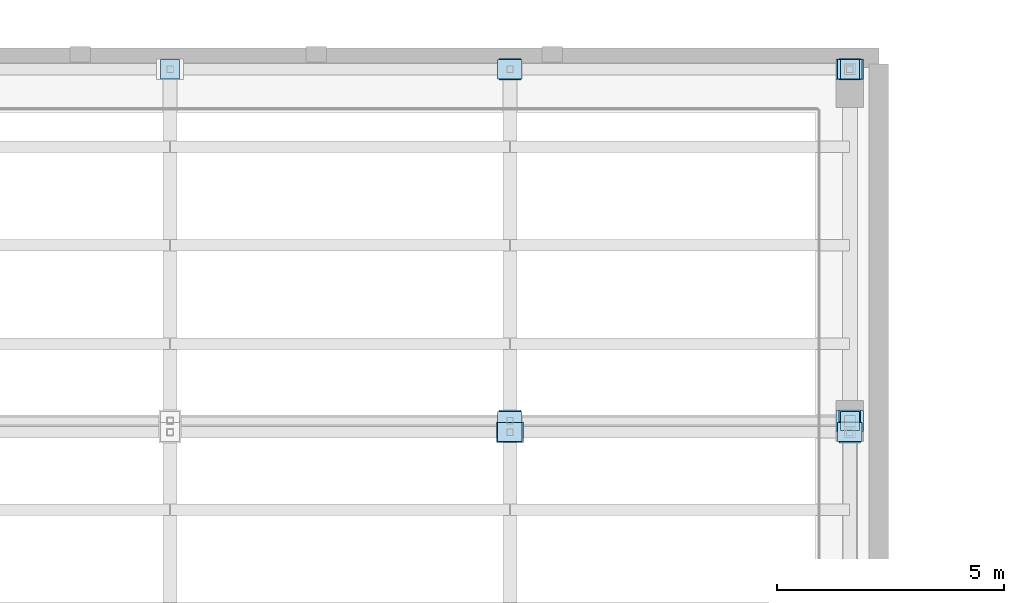
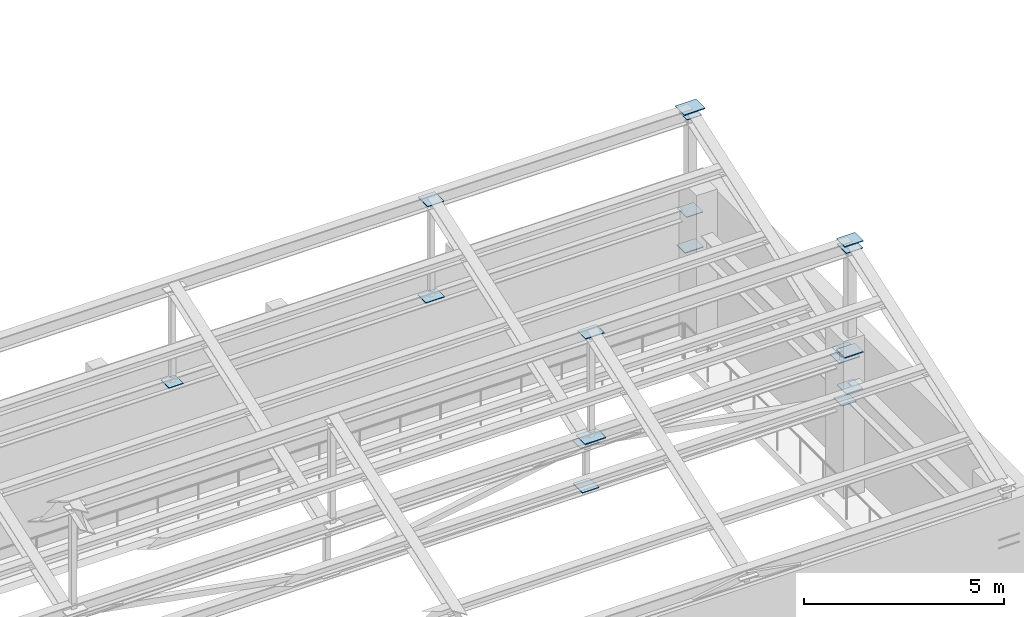
# One storey, part 50 of 76: 18 plates.
"""IFC4 building model written with IfcOpenShell, lengths in metres."""

from ifc_helpers import new_model, si_unit, direction, frame, origin, origin_2d, place, context, subcontext, project, spatial, rectangle, extrude, material, layer, layer_set, type_object, element, save


model = new_model("IFC4")

# Units and contexts
model_context = context("Model", 3, precision=1e-05, world=origin(), true_north=direction((0.0, 1.0)))
body_context = subcontext(model_context, "Body", "Model", "MODEL_VIEW")
ifc_project = project(units=[si_unit("LENGTHUNIT", "METRE"), si_unit("AREAUNIT", "SQUARE_METRE"), si_unit("VOLUMEUNIT", "CUBIC_METRE"), si_unit("PLANEANGLEUNIT", "RADIAN"), si_unit("MASSUNIT", "GRAM", prefix="KILO")], contexts=[model_context])

# Site, building, storey
site_placement = place(None, origin())
site = spatial("IfcSite", under=ifc_project, at=site_placement, CompositionType="ELEMENT")
building_placement = place(site_placement, origin())
building = spatial("IfcBuilding", under=site, at=building_placement, Name="Cinchona Park Media Centre", CompositionType="ELEMENT")
storey_placement = place(building_placement, frame((0.0, 0.0, 15.60009765625)))
storey = spatial("IfcBuildingStorey", under=building, at=storey_placement, Name="L03", CompositionType="ELEMENT", Elevation=15.60009765625)

# Plates
ifc_material_1 = material(Name="Steel S355", Category="steel")
ifc_layer_1 = layer(ifc_material_1, 0.02001953125)
ifc_layer_set_1 = layer_set([ifc_layer_1], Name="Steel S355")
plate_type_1 = type_object("IfcPlateType", Name="PLATE-GP01", PredefinedType="USERDEFINED", material=ifc_layer_set_1)
for number, where, z_axis, x_axis, name in (
    (1, (45.360107421875, 110.0, 2.639892578125), (0.0, 0.0, 1.0), (1.0, 0.0, 0.0), "Truss Node Gusset Plate TN1"),
    (2, (30.3798828125, 117.75, 3.739990234375), (0.0, 0.0, 1.0), (1.0, 0.0, 0.0), "Truss Node Gusset Plate TN3"),
    (3, (45.360107421875, 117.75, 6.68994140625), (0.0, 0.0, 1.0), (1.0, 0.0, 0.0), "Truss Node Gusset Plate TN3"),
):
    element("IfcPlate", number, at=place(storey_placement, frame(where, z_axis=z_axis, x_axis=x_axis)), inside=storey, type_object=plate_type_1, Name=name, ObjectType="GUSSET PLATE", PredefinedType="USERDEFINED", context=body_context, shape_type="SweptSolid", body=[
        extrude(rectangle(XDim=0.419921875, YDim=0.419921875, at=origin_2d()), origin(), (0.0, 0.0, 1.0), 0.02001953125),
    ])
ifc_material_2 = material(Name="Steel S355", Category="steel")
ifc_layer_2 = layer(ifc_material_2, 0.02197265625)
ifc_layer_set_2 = layer_set([ifc_layer_2], Name="Steel S355")
plate_type_2 = type_object("IfcPlateType", Name="PLATE-GP02", PredefinedType="USERDEFINED", material=ifc_layer_set_2)
for number, where, z_axis, x_axis, name in (
    (4, (45.360107421875, 109.75, 3.18896484375), (0.0, 0.0, 1.0), (1.0, 0.0, 0.0), "Truss Node Gusset Plate TN1"),
    (5, (45.360107421875, 109.75, 7.489013671875), (0.0, 0.0, 1.0), (1.0, 0.0, 0.0), "Truss Node Gusset Plate TN3"),
    (6, (45.360107421875, 110.0, 4.178955078125), (0.0, 0.0, 1.0), (1.0, 0.0, 0.0), "Truss Node Gusset Plate TN1"),
    (7, (37.8701171875, 110.0, 2.638916015625), (0.0, 0.0, 1.0), (1.0, 0.0, 0.0), "Truss Node Gusset Plate TN3"),
    (8, (37.8701171875, 117.75, 6.68896484375), (0.0, 0.0, 1.0), (1.0, 0.0, 0.0), "Truss Node Gusset Plate TN3"),
    (9, (45.360107421875, 117.75, 3.739013671875), (0.0, 0.0, 1.0), (1.0, 0.0, 0.0), "Truss Node Gusset Plate TN3"),
):
    element("IfcPlate", number, at=place(storey_placement, frame(where, z_axis=z_axis, x_axis=x_axis)), inside=storey, type_object=plate_type_2, Name=name, ObjectType="GUSSET PLATE", PredefinedType="USERDEFINED", context=body_context, shape_type="SweptSolid", body=[
        extrude(rectangle(XDim=0.47998046875, YDim=0.47998046875, at=origin_2d()), origin(), (0.0, 0.0, 1.0), 0.02197265625),
    ])
ifc_material_3 = material(Name="Steel S355", Category="steel")
ifc_layer_3 = layer(ifc_material_3, 0.02392578125)
ifc_layer_set_3 = layer_set([ifc_layer_3], Name="Steel S355")
plate_type_3 = type_object("IfcPlateType", Name="PLATE-GP03", PredefinedType="USERDEFINED", material=ifc_layer_set_3)
for number, where, z_axis, x_axis, name in (
    (10, (45.360107421875, 109.75, 7.677978515625), (0.0, 0.0, 1.0), (1.0, 0.0, 0.0), "Truss Node Gusset Plate TN1"),
    (11, (37.8701171875, 109.75, 7.488037109375), (0.0, 0.0, 1.0), (1.0, 0.0, 0.0), "Truss Node Gusset Plate TN3"),
    (12, (45.360107421875, 109.75, 4.287841796875), (0.0, 0.0, 1.0), (1.0, 0.0, 0.0), "Truss Node Gusset Plate TN3"),
    (13, (45.360107421875, 117.75, 2.637939453125), (0.0, 0.0, 1.0), (1.0, 0.0, 0.0), "Truss Node Gusset Plate TN1"),
    (14, (37.8701171875, 110.0, 3.988037109375), (0.0, 0.0, 1.0), (1.0, 0.0, 0.0), "Truss Node Gusset Plate TN3"),
    (15, (37.8701171875, 117.75, 3.738037109375), (0.0, 0.0, 1.0), (1.0, 0.0, 0.0), "Truss Node Gusset Plate TN3"),
):
    element("IfcPlate", number, at=place(storey_placement, frame(where, z_axis=z_axis, x_axis=x_axis)), inside=storey, type_object=plate_type_3, Name=name, ObjectType="GUSSET PLATE", PredefinedType="USERDEFINED", context=body_context, shape_type="SweptSolid", body=[
        extrude(rectangle(XDim=0.5400390625, YDim=0.419921875, at=origin_2d()), origin(), (0.0, 0.0, 1.0), 0.02392578125),
    ])
ifc_material_4 = material(Name="Steel S355", Category="steel")
ifc_layer_4 = layer(ifc_material_4, 0.02587890625)
ifc_layer_set_4 = layer_set([ifc_layer_4], Name="Steel S355")
plate_type_4 = type_object("IfcPlateType", Name="PLATE-GP04", PredefinedType="USERDEFINED", material=ifc_layer_set_4)
for number, where, z_axis, x_axis, name in (
    (16, (37.8701171875, 109.75, 4.286865234375), (0.0, 0.0, 1.0), (1.0, 0.0, 0.0), "Truss Node Gusset Plate TN3"),
    (17, (45.360107421875, 117.75, 6.876953125), (0.0, 0.0, 1.0), (1.0, 0.0, 0.0), "Truss Node Gusset Plate TN1"),
    (18, (45.360107421875, 110.0, 3.987060546875), (0.0, 0.0, 1.0), (1.0, 0.0, 0.0), "Truss Node Gusset Plate TN3"),
):
    element("IfcPlate", number, at=place(storey_placement, frame(where, z_axis=z_axis, x_axis=x_axis)), inside=storey, type_object=plate_type_4, Name=name, ObjectType="GUSSET PLATE", PredefinedType="USERDEFINED", context=body_context, shape_type="SweptSolid", body=[
        extrude(rectangle(XDim=0.60009765625, YDim=0.4599609375, at=origin_2d()), origin(), (0.0, 0.0, 1.0), 0.02587890625),
    ])

save(model, "model.ifc")
